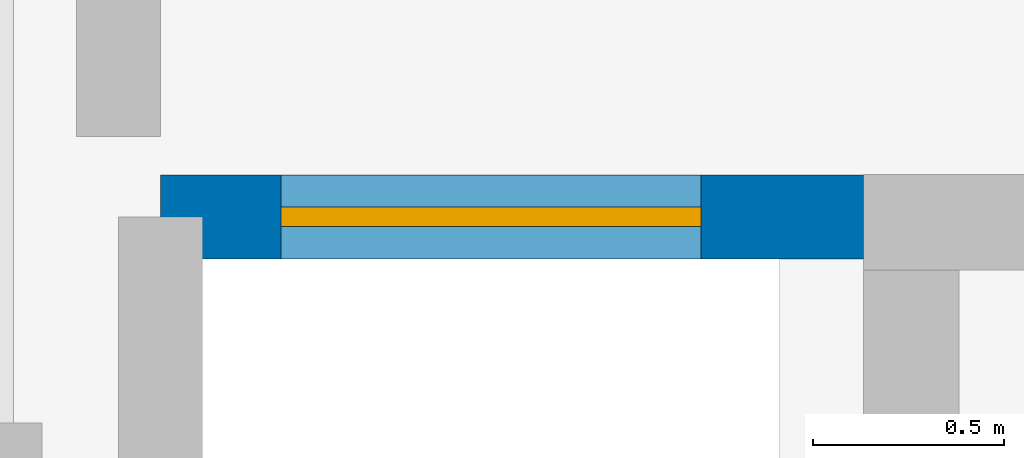
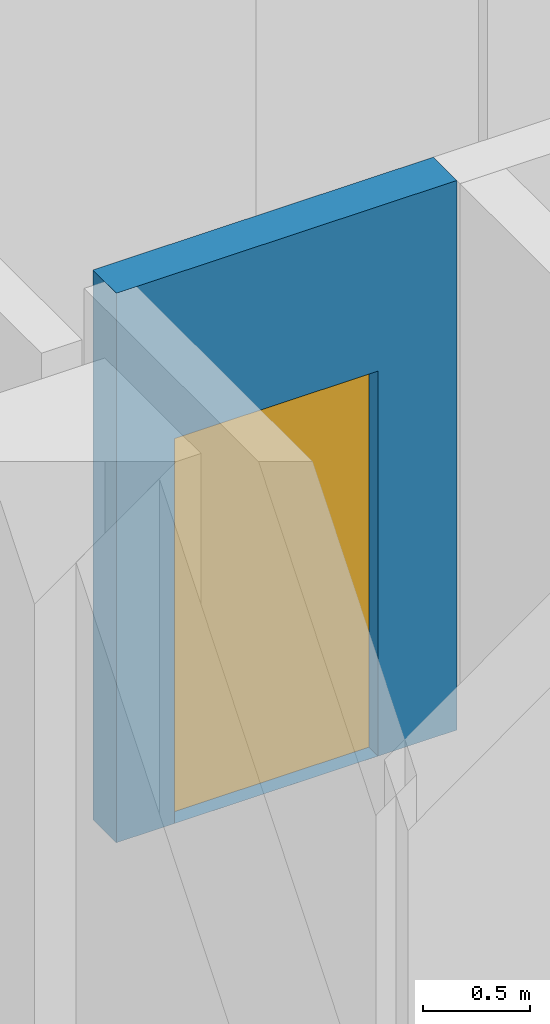
# One storey, part 35 of 49: 1 door, 1 wall, 1 opening.
"""IFC4 building model written with IfcOpenShell, lengths in metres."""

from ifc_helpers import new_model, si_unit, direction, frame, frame_2d, origin, place, context, subcontext, project, spatial, rectangle, extrude, material, layer, layer_set, type_object, element, fill, save


model = new_model("IFC4")

# Units and contexts
model_context = context("Model", 3, precision=1e-05, world=origin(), true_north=direction((0.0, 1.0)))
body_context = subcontext(model_context, "Body", "Model", "MODEL_VIEW")
ifc_project = project(units=[si_unit("LENGTHUNIT", "METRE"), si_unit("AREAUNIT", "SQUARE_METRE"), si_unit("VOLUMEUNIT", "CUBIC_METRE"), si_unit("PLANEANGLEUNIT", "RADIAN"), si_unit("MASSUNIT", "GRAM", prefix="KILO")], contexts=[model_context])

# Site, building, storey
site_placement = place(None, origin())
site = spatial("IfcSite", under=ifc_project, at=site_placement, CompositionType="ELEMENT")
building_placement = place(site_placement, origin())
building = spatial("IfcBuilding", under=site, at=building_placement, Name="Akrevak Sports Hall", CompositionType="ELEMENT")
storey_placement = place(building_placement, frame((0.0, 0.0, 24.14990234375)))
storey = spatial("IfcBuildingStorey", under=building, at=storey_placement, Name="L04", CompositionType="ELEMENT", Elevation=24.14990234375)

# Wall, opening, door
ifc_material_1 = material(Name="Concrete C50/60", Category="concrete")
ifc_layer = layer(ifc_material_1, 0.219970703125, Name="Concrete C50/60")
ifc_layer_set = layer_set([ifc_layer], Name="Concrete C50/60")
wall_type = type_object("IfcWallType", Name="ARC-WL-SHAFT-220", PredefinedType="SHEAR", material=ifc_layer_set)
wall_placement = place(storey_placement, frame((62.60009765625, 63.389892578125, 0.0), z_axis=(0.0, 0.0, 1.0), x_axis=(-1.0, 0.0, 0.0)))
wall = element("IfcWall", 1, at=wall_placement, inside=storey, type_object=wall_type, Name="Lift Shaft LF-FF1 Wall N (L04)", PredefinedType="SHEAR", context=body_context, shape_type="SweptSolid", body=[
    extrude(rectangle(XDim=1.840087890625, YDim=0.219970703125, at=frame_2d((0.919921875, 0.0))), origin(), (0.0, 0.0, 1.0), 3.14013671875),
])
opening_placement = place(wall_placement, frame((0.425048828125, 0.0, 0.0)))
opening = element("IfcOpeningElement", 2, at=opening_placement, cuts=wall, Name="Opening LD-01", PredefinedType="OPENING", context=body_context, shape_type="SweptSolid", body=[
    extrude(rectangle(XDim=1.10009765625, YDim=2.199951171875, at=frame_2d((0.550048828125, 1.10009765625))), frame((0.0, 0.1220703125, 0.0), z_axis=(0.0, -1.0, 0.0), x_axis=(1.0, 0.0, 0.0)), (0.0, 0.0, 1.0), 0.243896484375),
])
ifc_material_2 = material(Name="Brushed Stainless Steel 304", Category="steel")
door_type = type_object("IfcDoorType", Name="ARC-DR-LD-110x220", OperationType="SLIDING_TO_LEFT", PredefinedType="DOOR", material=ifc_material_2)
door_placement = place(opening_placement, origin())
door = element("IfcDoor", 3, at=door_placement, inside=storey, type_object=door_type, Name="Lift LF-FF1 Sliding Landing Door (L04)", OperationType="SLIDING_TO_LEFT", OverallHeight=2.199951171875, OverallWidth=1.10009765625, PredefinedType="DOOR", context=body_context, shape_type="SweptSolid", body=[
    extrude(rectangle(XDim=1.10009765625, YDim=2.199951171875, at=frame_2d((0.550048828125, 1.10009765625))), frame((0.0, 0.02490234375, 0.0), z_axis=(0.0, -1.0, 0.0), x_axis=(1.0, 0.0, 0.0)), (0.0, 0.0, 1.0), 0.050048828125),
])
fill(opening, door)

save(model, "model.ifc")
